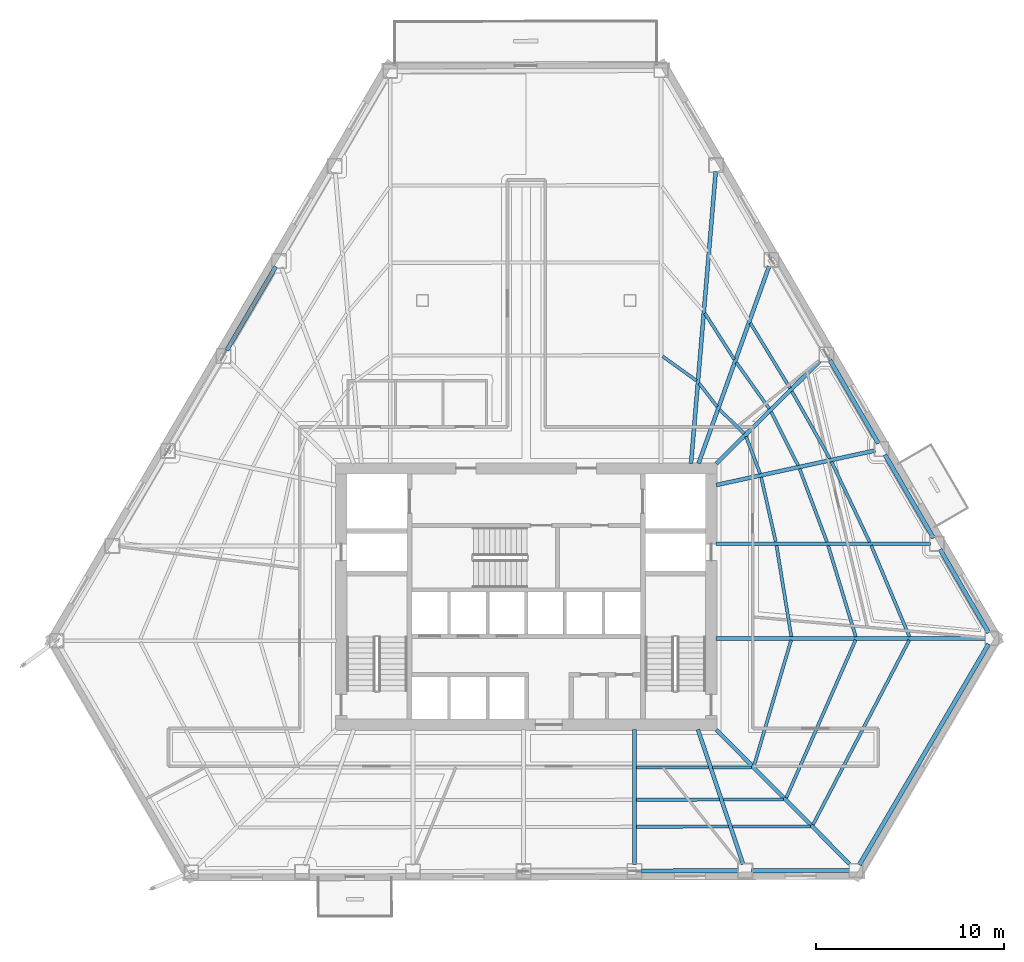
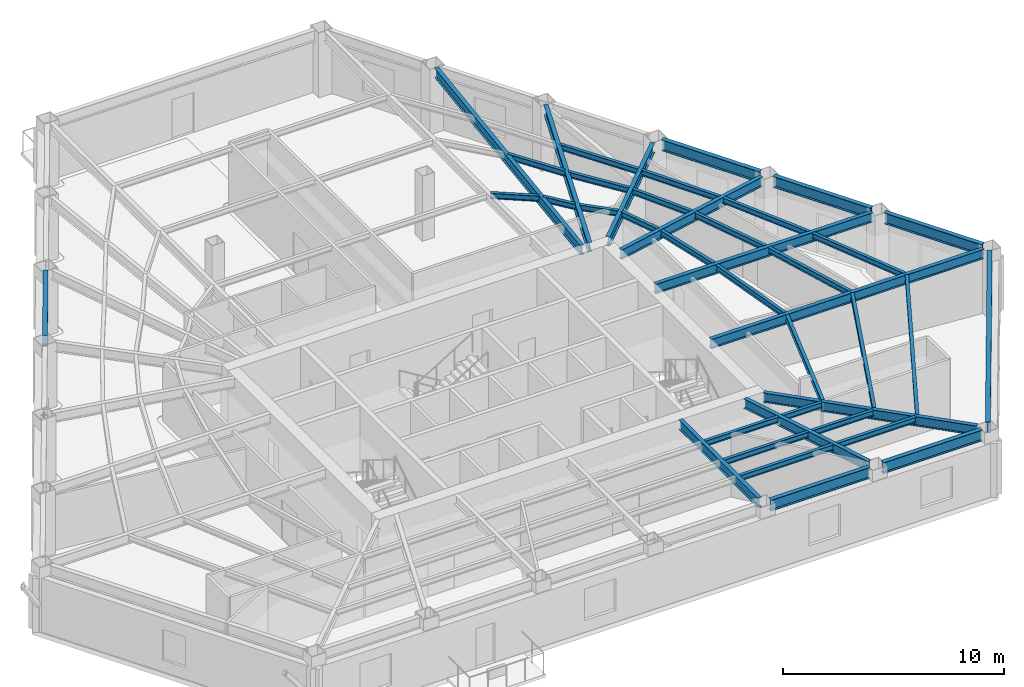
# One storey, part 3 of 15: 40 beams.
"""IFC4 building model written with IfcOpenShell, lengths in metres."""

from ifc_helpers import new_model, si_unit, direction, frame, origin, origin_2d, place, context, subcontext, project, spatial, i_section, extrude, material, material_profile, profile_set, type_object, element, save


model = new_model("IFC4")

# Units and contexts
model_context = context("Model", 3, precision=1e-05, world=origin(), true_north=direction((0.0, 1.0)))
body_context = subcontext(model_context, "Body", "Model", "MODEL_VIEW")
ifc_project = project(units=[si_unit("LENGTHUNIT", "METRE"), si_unit("AREAUNIT", "SQUARE_METRE"), si_unit("VOLUMEUNIT", "CUBIC_METRE"), si_unit("PLANEANGLEUNIT", "RADIAN"), si_unit("MASSUNIT", "GRAM", prefix="KILO")], contexts=[model_context])

# Site, building, storey
site_placement = place(None, origin())
site = spatial("IfcSite", under=ifc_project, at=site_placement, CompositionType="ELEMENT")
building_placement = place(site_placement, origin())
building = spatial("IfcBuilding", under=site, at=building_placement, Name="Kavelnor Concourse Tower", CompositionType="ELEMENT")
storey_placement = place(building_placement, frame((0.0, 0.0, 63.75)))
storey = spatial("IfcBuildingStorey", under=building, at=storey_placement, Name="L16", CompositionType="ELEMENT", Elevation=63.75)

# Beams
ifc_material = material(Name="Steel Grade 350", Category="steel")
ifc_material_profile_1 = material_profile(ifc_material, i_section(OverallWidth=0.166015625, OverallDepth=0.306884765625, WebThickness=0.006591796875, FlangeThickness=0.01171875, at=origin_2d()), Name="310UB46")
ifc_profile_set_1 = profile_set([ifc_material_profile_1], Name="Steel Grade 350")
beam_type_1 = type_object("IfcBeamType", Name="BM-JOIST-310", PredefinedType="JOIST", material=ifc_profile_set_1)
beam_1_placement = place(storey_placement, frame((43.840087890625, 7.033935546875, 3.4365234375), z_axis=(0.999999709308, 0.000762485482, 0.0), x_axis=(-0.000762485482, 0.999999709308, 0.0)))
element("IfcBeam", 1, at=beam_1_placement, inside=storey, type_object=beam_type_1, Name="L16 Secondary Composite Joist 06-1", PredefinedType="JOIST", context=body_context, shape_type="SweptSolid", body=[
    extrude(i_section(OverallWidth=0.166015625, OverallDepth=0.306884765625, WebThickness=0.006591796875, FlangeThickness=0.01171875, at=origin_2d()), origin(), (0.0, 0.0, 1.0), 3.84228515625),
])
beam_2_placement = place(storey_placement, frame((43.840087890625, 5.314697265625, 3.4365234375), z_axis=(0.999998715329, 0.001602916358, 0.0), x_axis=(-0.001602916358, 0.999998715329, 0.0)))
element("IfcBeam", 2, at=beam_2_placement, inside=storey, type_object=beam_type_1, Name="L16 Secondary Composite Joist 06-2", PredefinedType="JOIST", context=body_context, shape_type="SweptSolid", body=[
    extrude(i_section(OverallWidth=0.166015625, OverallDepth=0.306884765625, WebThickness=0.006591796875, FlangeThickness=0.01171875, at=origin_2d()), origin(), (0.0, 0.0, 1.0), 4.4169921875),
])
beam_3_placement = place(storey_placement, frame((43.840087890625, 3.881591796875, 3.4365234375), z_axis=(0.999997593024, 0.002194070714, 0.0), x_axis=(-0.002194070714, 0.999997593024, 0.0)))
element("IfcBeam", 3, at=beam_3_placement, inside=storey, type_object=beam_type_1, Name="L16 Secondary Composite Joist 06-3", PredefinedType="JOIST", context=body_context, shape_type="SweptSolid", body=[
    extrude(i_section(OverallWidth=0.166015625, OverallDepth=0.306884765625, WebThickness=0.006591796875, FlangeThickness=0.01171875, at=origin_2d()), origin(), (0.0, 0.0, 1.0), 4.89599609375),
])
beam_4_placement = place(storey_placement, frame((47.87939453125, 7.036865234375, 3.4365234375), z_axis=(0.999999993131, -0.000117205813, 0.0), x_axis=(0.000117205813, 0.999999993131, 0.0)))
element("IfcBeam", 4, at=beam_4_placement, inside=storey, type_object=beam_type_1, Name="L16 Secondary Composite Joist 07-1", PredefinedType="JOIST", context=body_context, shape_type="SweptSolid", body=[
    extrude(i_section(OverallWidth=0.166015625, OverallDepth=0.306884765625, WebThickness=0.006591796875, FlangeThickness=0.01171875, at=origin_2d()), origin(), (0.0, 0.0, 1.0), 2.0830078125),
])
beam_5_placement = place(storey_placement, frame((48.4541015625, 5.322021484375, 3.4365234375), z_axis=(0.999997387765, 0.002285708315, 0.0), x_axis=(-0.002285708315, 0.999997387765, 0.0)))
element("IfcBeam", 5, at=beam_5_placement, inside=storey, type_object=beam_type_1, Name="L16 Secondary Composite Joist 07-2", PredefinedType="JOIST", context=body_context, shape_type="SweptSolid", body=[
    extrude(i_section(OverallWidth=0.166015625, OverallDepth=0.306884765625, WebThickness=0.006591796875, FlangeThickness=0.01171875, at=origin_2d()), origin(), (0.0, 0.0, 1.0), 3.204345703125),
])
beam_6_placement = place(storey_placement, frame((48.93310546875, 3.892822265625, 3.4365234375), z_axis=(0.999994544314, 0.003303232141, 0.0), x_axis=(-0.003303232141, 0.999994544314, 0.0)))
element("IfcBeam", 6, at=beam_6_placement, inside=storey, type_object=beam_type_1, Name="L16 Secondary Composite Joist 07-3", PredefinedType="JOIST", context=body_context, shape_type="SweptSolid", body=[
    extrude(i_section(OverallWidth=0.166015625, OverallDepth=0.306884765625, WebThickness=0.006591796875, FlangeThickness=0.01171875, at=origin_2d()), origin(), (0.0, 0.0, 1.0), 4.138916015625),
])
beam_7_placement = place(storey_placement, frame((50.0888671875, 7.131103515625, 3.4365234375), z_axis=(0.283238749159, 0.959049430934, 0.0), x_axis=(-0.959049430934, 0.283238749159, 0.0)))
element("IfcBeam", 7, at=beam_7_placement, inside=storey, type_object=beam_type_1, Name="L16 Secondary Composite Joist 08-1", PredefinedType="JOIST", context=body_context, shape_type="SweptSolid", body=[
    extrude(i_section(OverallWidth=0.166015625, OverallDepth=0.306884765625, WebThickness=0.006591796875, FlangeThickness=0.01171875, at=origin_2d()), origin(), (0.0, 0.0, 1.0), 6.93798828125),
])
beam_8_placement = place(storey_placement, frame((51.796630859375, 5.419921875, 3.4365234375), z_axis=(0.402120042779, 0.91558695447, 0.0), x_axis=(-0.91558695447, 0.402120042779, 0.0)))
element("IfcBeam", 8, at=beam_8_placement, inside=storey, type_object=beam_type_1, Name="L16 Secondary Composite Joist 08-2", PredefinedType="JOIST", context=body_context, shape_type="SweptSolid", body=[
    extrude(i_section(OverallWidth=0.166015625, OverallDepth=0.306884765625, WebThickness=0.006591796875, FlangeThickness=0.01171875, at=origin_2d()), origin(), (0.0, 0.0, 1.0), 9.14111328125),
])
beam_9_placement = place(storey_placement, frame((53.216064453125, 3.994384765625, 3.4365234375), z_axis=(0.462367409031, 0.886688434043, 0.0), x_axis=(-0.886688434043, 0.462367409031, 0.0)))
element("IfcBeam", 9, at=beam_9_placement, inside=storey, type_object=beam_type_1, Name="L16 Secondary Composite Joist 08-3", PredefinedType="JOIST", context=body_context, shape_type="SweptSolid", body=[
    extrude(i_section(OverallWidth=0.166015625, OverallDepth=0.306884765625, WebThickness=0.006591796875, FlangeThickness=0.01171875, at=origin_2d()), origin(), (0.0, 0.0, 1.0), 11.050048828125),
])
beam_10_placement = place(storey_placement, frame((52.06591796875, 13.976806640625, 3.4365234375), z_axis=(-0.160942420314, 0.986963797382, 0.0), x_axis=(-0.986963797382, -0.160942420314, 0.0)))
element("IfcBeam", 10, at=beam_10_placement, inside=storey, type_object=beam_type_1, Name="L16 Secondary Composite Joist 09-1", PredefinedType="JOIST", context=body_context, shape_type="SweptSolid", body=[
    extrude(i_section(OverallWidth=0.166015625, OverallDepth=0.306884765625, WebThickness=0.006591796875, FlangeThickness=0.01171875, at=origin_2d()), origin(), (0.0, 0.0, 1.0), 4.89208984375),
])
beam_11_placement = place(storey_placement, frame((55.4833984375, 13.973876953125, 3.4365234375), z_axis=(-0.289905441676, 0.957055293537, 0.0), x_axis=(-0.957055293537, -0.289905441676, 0.0)))
element("IfcBeam", 11, at=beam_11_placement, inside=storey, type_object=beam_type_1, Name="L16 Secondary Composite Joist 09-2", PredefinedType="JOIST", context=body_context, shape_type="SweptSolid", body=[
    extrude(i_section(OverallWidth=0.166015625, OverallDepth=0.306884765625, WebThickness=0.006591796875, FlangeThickness=0.01171875, at=origin_2d()), origin(), (0.0, 0.0, 1.0), 5.05126953125),
])
beam_12_placement = place(storey_placement, frame((58.33251953125, 13.97021484375, 3.4365234375), z_axis=(-0.386773879375, 0.922174585549, 0.0), x_axis=(-0.922174585549, -0.386773879375, 0.0)))
element("IfcBeam", 12, at=beam_12_placement, inside=storey, type_object=beam_type_1, Name="L16 Secondary Composite Joist 09-3", PredefinedType="JOIST", context=body_context, shape_type="SweptSolid", body=[
    extrude(i_section(OverallWidth=0.166015625, OverallDepth=0.306884765625, WebThickness=0.006591796875, FlangeThickness=0.01171875, at=origin_2d()), origin(), (0.0, 0.0, 1.0), 5.25),
])
beam_13_placement = place(storey_placement, frame((51.240966796875, 18.99853515625, 3.4365234375), z_axis=(-0.220180038433, 0.975459251161, 0.0), x_axis=(-0.975459251161, -0.220180038433, 0.0)))
element("IfcBeam", 13, at=beam_13_placement, inside=storey, type_object=beam_type_1, Name="L16 Secondary Composite Joist 10-1", PredefinedType="JOIST", context=body_context, shape_type="SweptSolid", body=[
    extrude(i_section(OverallWidth=0.166015625, OverallDepth=0.306884765625, WebThickness=0.006591796875, FlangeThickness=0.01171875, at=origin_2d()), origin(), (0.0, 0.0, 1.0), 3.522705078125),
])
beam_14_placement = place(storey_placement, frame((53.9560546875, 18.99462890625, 3.4365234375), z_axis=(-0.350232935991, 0.936662634328, 0.0), x_axis=(-0.936662634328, -0.350232935991, 0.0)))
element("IfcBeam", 14, at=beam_14_placement, inside=storey, type_object=beam_type_1, Name="L16 Secondary Composite Joist 10-2", PredefinedType="JOIST", context=body_context, shape_type="SweptSolid", body=[
    extrude(i_section(OverallWidth=0.166015625, OverallDepth=0.306884765625, WebThickness=0.006591796875, FlangeThickness=0.01171875, at=origin_2d()), origin(), (0.0, 0.0, 1.0), 4.14697265625),
])
beam_15_placement = place(storey_placement, frame((56.2216796875, 18.991455078125, 3.4365234375), z_axis=(-0.429096963756, 0.903258432397, 0.0), x_axis=(-0.903258432397, -0.429096963756, 0.0)))
element("IfcBeam", 15, at=beam_15_placement, inside=storey, type_object=beam_type_1, Name="L16 Secondary Composite Joist 10-3", PredefinedType="JOIST", context=body_context, shape_type="SweptSolid", body=[
    extrude(i_section(OverallWidth=0.166015625, OverallDepth=0.306884765625, WebThickness=0.006591796875, FlangeThickness=0.01171875, at=origin_2d()), origin(), (0.0, 0.0, 1.0), 4.71337890625),
])
beam_16_placement = place(storey_placement, frame((50.408935546875, 22.623046875, 3.4365234375), z_axis=(-0.354213217587, 0.935164689499, 0.0), x_axis=(-0.935164689499, -0.354213217587, 0.0)))
element("IfcBeam", 16, at=beam_16_placement, inside=storey, type_object=beam_type_1, Name="L16 Secondary Composite Joist 11-1", PredefinedType="JOIST", context=body_context, shape_type="SweptSolid", body=[
    extrude(i_section(OverallWidth=0.166015625, OverallDepth=0.306884765625, WebThickness=0.006591796875, FlangeThickness=0.01171875, at=origin_2d()), origin(), (0.0, 0.0, 1.0), 2.102783203125),
])
beam_17_placement = place(storey_placement, frame((52.4248046875, 23.05908203125, 3.4365234375), z_axis=(-0.450463859543, 0.89279466354, 0.0), x_axis=(-0.89279466354, -0.450463859543, 0.0)))
element("IfcBeam", 17, at=beam_17_placement, inside=storey, type_object=beam_type_1, Name="L16 Secondary Composite Joist 11-2", PredefinedType="JOIST", context=body_context, shape_type="SweptSolid", body=[
    extrude(i_section(OverallWidth=0.166015625, OverallDepth=0.306884765625, WebThickness=0.006591796875, FlangeThickness=0.01171875, at=origin_2d()), origin(), (0.0, 0.0, 1.0), 3.181884765625),
])
beam_18_placement = place(storey_placement, frame((54.1083984375, 23.423583984375, 3.4365234375), z_axis=(-0.491794085449, 0.870711535193, 0.0), x_axis=(-0.870711535193, -0.491794085449, 0.0)))
element("IfcBeam", 18, at=beam_18_placement, inside=storey, type_object=beam_type_1, Name="L16 Secondary Composite Joist 11-3", PredefinedType="JOIST", context=body_context, shape_type="SweptSolid", body=[
    extrude(i_section(OverallWidth=0.166015625, OverallDepth=0.306884765625, WebThickness=0.006591796875, FlangeThickness=0.01171875, at=origin_2d()), origin(), (0.0, 0.0, 1.0), 4.096435546875),
])
beam_19_placement = place(storey_placement, frame((49.558837890625, 24.750732421875, 3.4365234375), z_axis=(-0.713723875974, 0.700427175989, 0.0), x_axis=(-0.700427175989, -0.713723875974, 0.0)))
element("IfcBeam", 19, at=beam_19_placement, inside=storey, type_object=beam_type_1, Name="L16 Secondary Composite Joist 12-1", PredefinedType="JOIST", context=body_context, shape_type="SweptSolid", body=[
    extrude(i_section(OverallWidth=0.166015625, OverallDepth=0.306884765625, WebThickness=0.006591796875, FlangeThickness=0.01171875, at=origin_2d()), origin(), (0.0, 0.0, 1.0), 1.817626953125),
])
beam_20_placement = place(storey_placement, frame((50.89013671875, 26.068115234375, 3.4365234375), z_axis=(-0.57885132714, 0.815433100302, 0.0), x_axis=(-0.815433100302, -0.57885132714, 0.0)))
element("IfcBeam", 20, at=beam_20_placement, inside=storey, type_object=beam_type_1, Name="L16 Secondary Composite Joist 12-2", PredefinedType="JOIST", context=body_context, shape_type="SweptSolid", body=[
    extrude(i_section(OverallWidth=0.166015625, OverallDepth=0.306884765625, WebThickness=0.006591796875, FlangeThickness=0.01171875, at=origin_2d()), origin(), (0.0, 0.0, 1.0), 3.01220703125),
])
beam_21_placement = place(storey_placement, frame((51.994140625, 27.160400390625, 3.4365234375), z_axis=(-0.520404562002, 0.85391983924, 0.0), x_axis=(-0.85391983924, -0.520404562002, 0.0)))
element("IfcBeam", 21, at=beam_21_placement, inside=storey, type_object=beam_type_1, Name="L16 Secondary Composite Joist 12-3", PredefinedType="JOIST", context=body_context, shape_type="SweptSolid", body=[
    extrude(i_section(OverallWidth=0.166015625, OverallDepth=0.306884765625, WebThickness=0.006591796875, FlangeThickness=0.01171875, at=origin_2d()), origin(), (0.0, 0.0, 1.0), 4.04443359375),
])
beam_22_placement = place(storey_placement, frame((48.131103515625, 26.1708984375, 3.4365234375), z_axis=(-0.609523599441, 0.792767924253, 0.0), x_axis=(-0.792767924253, -0.609523599441, 0.0)))
element("IfcBeam", 22, at=beam_22_placement, inside=storey, type_object=beam_type_1, Name="L16 Secondary Composite Joist 13-1", PredefinedType="JOIST", context=body_context, shape_type="SweptSolid", body=[
    extrude(i_section(OverallWidth=0.166015625, OverallDepth=0.306884765625, WebThickness=0.006591796875, FlangeThickness=0.01171875, at=origin_2d()), origin(), (0.0, 0.0, 1.0), 1.576171875),
])
beam_23_placement = place(storey_placement, frame((49.03662109375, 28.68798828125, 3.4365234375), z_axis=(-0.537469053484, 0.843283473422, 0.0), x_axis=(-0.843283473422, -0.537469053484, 0.0)))
element("IfcBeam", 23, at=beam_23_placement, inside=storey, type_object=beam_type_1, Name="L16 Secondary Composite Joist 13-2", PredefinedType="JOIST", context=body_context, shape_type="SweptSolid", body=[
    extrude(i_section(OverallWidth=0.166015625, OverallDepth=0.306884765625, WebThickness=0.006591796875, FlangeThickness=0.01171875, at=origin_2d()), origin(), (0.0, 0.0, 1.0), 2.900390625),
])
beam_24_placement = place(storey_placement, frame((47.030517578125, 27.555908203125, 3.4365234375), z_axis=(-0.811616039221, 0.584191239989, 0.0), x_axis=(-0.584191239989, -0.811616039221, 0.0)))
element("IfcBeam", 24, at=beam_24_placement, inside=storey, type_object=beam_type_1, Name="L16 Secondary Composite Joist 14-1", PredefinedType="JOIST", context=body_context, shape_type="SweptSolid", body=[
    extrude(i_section(OverallWidth=0.166015625, OverallDepth=0.306884765625, WebThickness=0.006591796875, FlangeThickness=0.01171875, at=origin_2d()), origin(), (0.0, 0.0, 1.0), 2.21044921875),
])
ifc_material_profile_2 = material_profile(ifc_material, i_section(OverallWidth=0.208984375, OverallDepth=0.528076171875, WebThickness=0.009521484375, FlangeThickness=0.01318359375, at=origin_2d()), Name="530UB82")
ifc_profile_set_2 = profile_set([ifc_material_profile_2], Name="Steel Grade 350")
beam_type_2 = type_object("IfcBeamType", Name="BM-PRIMARY-530", PredefinedType="BEAM", material=ifc_profile_set_2)
beam_25_placement = place(storey_placement, frame((43.741455078125, 9.0400390625, 3.325927734375), z_axis=(0.0, -1.0, 0.0), x_axis=(1.0, 0.0, 0.0)))
element("IfcBeam", 25, at=beam_25_placement, inside=storey, type_object=beam_type_2, Name="L16 Primary Floor Girder F1-B4", PredefinedType="BEAM", context=body_context, shape_type="SweptSolid", body=[
    extrude(i_section(OverallWidth=0.208984375, OverallDepth=0.528076171875, WebThickness=0.009521484375, FlangeThickness=0.01318359375, at=origin_2d()), origin(), (0.0, 0.0, 1.0), 7.16455078125),
])
beam_26_placement = place(storey_placement, frame((47.110107421875, 9.037841796875, 3.325927734375), z_axis=(0.317801600089, -0.948157235368, 0.0), x_axis=(0.948157235368, 0.317801600089, 0.0)))
element("IfcBeam", 26, at=beam_26_placement, inside=storey, type_object=beam_type_2, Name="L16 Primary Floor Girder F1-B5", PredefinedType="BEAM", context=body_context, shape_type="SweptSolid", body=[
    extrude(i_section(OverallWidth=0.208984375, OverallDepth=0.528076171875, WebThickness=0.009521484375, FlangeThickness=0.01318359375, at=origin_2d()), origin(), (0.0, 0.0, 1.0), 7.536865234375),
])
beam_27_placement = place(storey_placement, frame((48.08203125, 9.0283203125, 3.325927734375), z_axis=(0.704814323614, -0.709391830535, 0.0), x_axis=(0.709391830535, 0.704814323614, 0.0)))
element("IfcBeam", 27, at=beam_27_placement, inside=storey, type_object=beam_type_2, Name="L16 Primary Floor Girder F1-B6", PredefinedType="BEAM", context=body_context, shape_type="SweptSolid", body=[
    extrude(i_section(OverallWidth=0.208984375, OverallDepth=0.528076171875, WebThickness=0.009521484375, FlangeThickness=0.01318359375, at=origin_2d()), origin(), (0.0, 0.0, 1.0), 10.02685546875),
])
beam_28_placement = place(storey_placement, frame((48.080078125, 13.87939453125, 3.325927734375), z_axis=(1.0, 0.0, 0.0), x_axis=(0.0, 1.0, 0.0)))
element("IfcBeam", 28, at=beam_28_placement, inside=storey, type_object=beam_type_2, Name="L16 Primary Floor Girder F2-B0", PredefinedType="BEAM", context=body_context, shape_type="SweptSolid", body=[
    extrude(i_section(OverallWidth=0.208984375, OverallDepth=0.528076171875, WebThickness=0.009521484375, FlangeThickness=0.01318359375, at=origin_2d()), origin(), (0.0, 0.0, 1.0), 14.29248046875),
])
beam_29_placement = place(storey_placement, frame((48.080078125, 18.90234375, 3.325927734375), z_axis=(1.0, 0.0, 0.0), x_axis=(0.0, 1.0, 0.0)))
element("IfcBeam", 29, at=beam_29_placement, inside=storey, type_object=beam_type_2, Name="L16 Primary Floor Girder F2-B1", PredefinedType="BEAM", context=body_context, shape_type="SweptSolid", body=[
    extrude(i_section(OverallWidth=0.208984375, OverallDepth=0.528076171875, WebThickness=0.009521484375, FlangeThickness=0.01318359375, at=origin_2d()), origin(), (0.0, 0.0, 1.0), 11.366455078125),
])
beam_30_placement = place(storey_placement, frame((48.080810546875, 22.017578125, 3.325927734375), z_axis=(0.977196006168, 0.21233926987, 0.0), x_axis=(-0.21233926987, 0.977196006168, 0.0)))
element("IfcBeam", 30, at=beam_30_placement, inside=storey, type_object=beam_type_2, Name="L16 Primary Floor Girder F2-B2", PredefinedType="BEAM", context=body_context, shape_type="SweptSolid", body=[
    extrude(i_section(OverallWidth=0.208984375, OverallDepth=0.528076171875, WebThickness=0.009521484375, FlangeThickness=0.01318359375, at=origin_2d()), origin(), (0.0, 0.0, 1.0), 8.635986328125),
])
beam_31_placement = place(storey_placement, frame((48.091552734375, 23.158203125, 3.325927734375), z_axis=(0.710320566501, 0.703878322444, 0.0), x_axis=(-0.703878322444, 0.710320566501, 0.0)))
element("IfcBeam", 31, at=beam_31_placement, inside=storey, type_object=beam_type_2, Name="L16 Primary Floor Girder F2-B3", PredefinedType="BEAM", context=body_context, shape_type="SweptSolid", body=[
    extrude(i_section(OverallWidth=0.208984375, OverallDepth=0.528076171875, WebThickness=0.009521484375, FlangeThickness=0.01318359375, at=origin_2d()), origin(), (0.0, 0.0, 1.0), 7.73095703125),
])
beam_32_placement = place(storey_placement, frame((47.14306640625, 23.162353515625, 3.325927734375), z_axis=(0.336750995719, 0.941593737703, 0.0), x_axis=(-0.941593737703, 0.336750995719, 0.0)))
element("IfcBeam", 32, at=beam_32_placement, inside=storey, type_object=beam_type_2, Name="L16 Primary Floor Girder F2-B4", PredefinedType="BEAM", context=body_context, shape_type="SweptSolid", body=[
    extrude(i_section(OverallWidth=0.208984375, OverallDepth=0.528076171875, WebThickness=0.009521484375, FlangeThickness=0.01318359375, at=origin_2d()), origin(), (0.0, 0.0, 1.0), 11.115478515625),
])
beam_33_placement = place(storey_placement, frame((46.743408203125, 23.16015625, 3.325927734375), z_axis=(0.084285067501, 0.996441682888, 0.0), x_axis=(-0.996441682888, 0.084285067501, 0.0)))
element("IfcBeam", 33, at=beam_33_placement, inside=storey, type_object=beam_type_2, Name="L16 Primary Floor Girder F2-B5", PredefinedType="BEAM", context=body_context, shape_type="SweptSolid", body=[
    extrude(i_section(OverallWidth=0.208984375, OverallDepth=0.528076171875, WebThickness=0.009521484375, FlangeThickness=0.01318359375, at=origin_2d()), origin(), (0.0, 0.0, 1.0), 15.549072265625),
])
ifc_material_profile_3 = material_profile(ifc_material, i_section(OverallWidth=0.22900390625, OverallDepth=0.612060546875, WebThickness=0.011962890625, FlangeThickness=0.01953125, at=origin_2d()), Name="610UB125")
ifc_profile_set_3 = profile_set([ifc_material_profile_3], Name="Steel Grade 350")
beam_type_3 = type_object("IfcBeamType", Name="BM-SPANDREL-Z1", PredefinedType="SPANDREL", material=ifc_profile_set_3)
beam_34_placement = place(storey_placement, frame((24.704833984375, 33.609130859375, 3.283935546875), z_axis=(-0.505415217159, -0.862876270542, 0.0), x_axis=(0.862876270542, -0.505415217159, 0.0)))
element("IfcBeam", 34, at=beam_34_placement, inside=storey, type_object=beam_type_3, Name="L16 Perimeter Tube Spandrel Beam F0-B2", PredefinedType="SPANDREL", context=body_context, shape_type="SweptSolid", body=[
    extrude(i_section(OverallWidth=0.22900390625, OverallDepth=0.612060546875, WebThickness=0.011962890625, FlangeThickness=0.01953125, at=origin_2d()), origin(), (0.0, 0.0, 1.0), 5.1484375),
])
for number, where, z_axis, x_axis, name in (
    (35, (44.08642578125, 1.5361328125, 3.283935546875), (0.999997120554, 0.002399767229, 0.0), (-0.002399767229, 0.999997120554, 0.0), "L16 Perimeter Tube Spandrel Beam F1-B4"),
    (36, (49.965087890625, 1.55029296875, 3.283935546875), (0.999997006529, 0.002446821209, 0.0), (-0.002446821209, 0.999997006529, 0.0), "L16 Perimeter Tube Spandrel Beam F1-B5"),
):
    element("IfcBeam", number, at=place(storey_placement, frame(where, z_axis=z_axis, x_axis=x_axis)), inside=storey, type_object=beam_type_3, Name=name, PredefinedType="SPANDREL", context=body_context, shape_type="SweptSolid", body=[
        extrude(i_section(OverallWidth=0.22900390625, OverallDepth=0.612060546875, WebThickness=0.011962890625, FlangeThickness=0.01953125, at=origin_2d()), origin(), (0.0, 0.0, 1.0), 5.1884765625),
    ])
for number, where, z_axis, x_axis, name in (
    (37, (62.538818359375, 14.177490234375, 3.283935546875), (-0.503337582741, 0.864089855166, 0.0), (-0.864089855166, -0.503337582741, 0.0), "L16 Perimeter Tube Spandrel Beam F2-B0"),
    (38, (59.61279296875, 19.200439453125, 3.283935546875), (-0.503337582741, 0.864089855166, 0.0), (-0.864089855166, -0.503337582741, 0.0), "L16 Perimeter Tube Spandrel Beam F2-B1"),
    (39, (56.68701171875, 24.223388671875, 3.283935546875), (-0.503337582741, 0.864089855166, 0.0), (-0.864089855166, -0.503337582741, 0.0), "L16 Perimeter Tube Spandrel Beam F2-B2"),
):
    element("IfcBeam", number, at=place(storey_placement, frame(where, z_axis=z_axis, x_axis=x_axis)), inside=storey, type_object=beam_type_3, Name=name, PredefinedType="SPANDREL", context=body_context, shape_type="SweptSolid", body=[
        extrude(i_section(OverallWidth=0.22900390625, OverallDepth=0.612060546875, WebThickness=0.011962890625, FlangeThickness=0.01953125, at=origin_2d()), origin(), (0.0, 0.0, 1.0), 5.123046875),
    ])
beam_35_placement = place(storey_placement, frame((55.6728515625, 1.861328125, 3.283935546875), z_axis=(0.50542471493, 0.862870707313, 0.0), x_axis=(-0.862870707313, 0.50542471493, 0.0)))
element("IfcBeam", 40, at=beam_35_placement, inside=storey, type_object=beam_type_3, Name="L16 Chamfer Facet Spandrel Beam C2", PredefinedType="SPANDREL", context=body_context, shape_type="SweptSolid", body=[
    extrude(i_section(OverallWidth=0.22900390625, OverallDepth=0.612060546875, WebThickness=0.011962890625, FlangeThickness=0.01953125, at=origin_2d()), origin(), (0.0, 0.0, 1.0), 13.5830078125),
])

save(model, "model.ifc")
